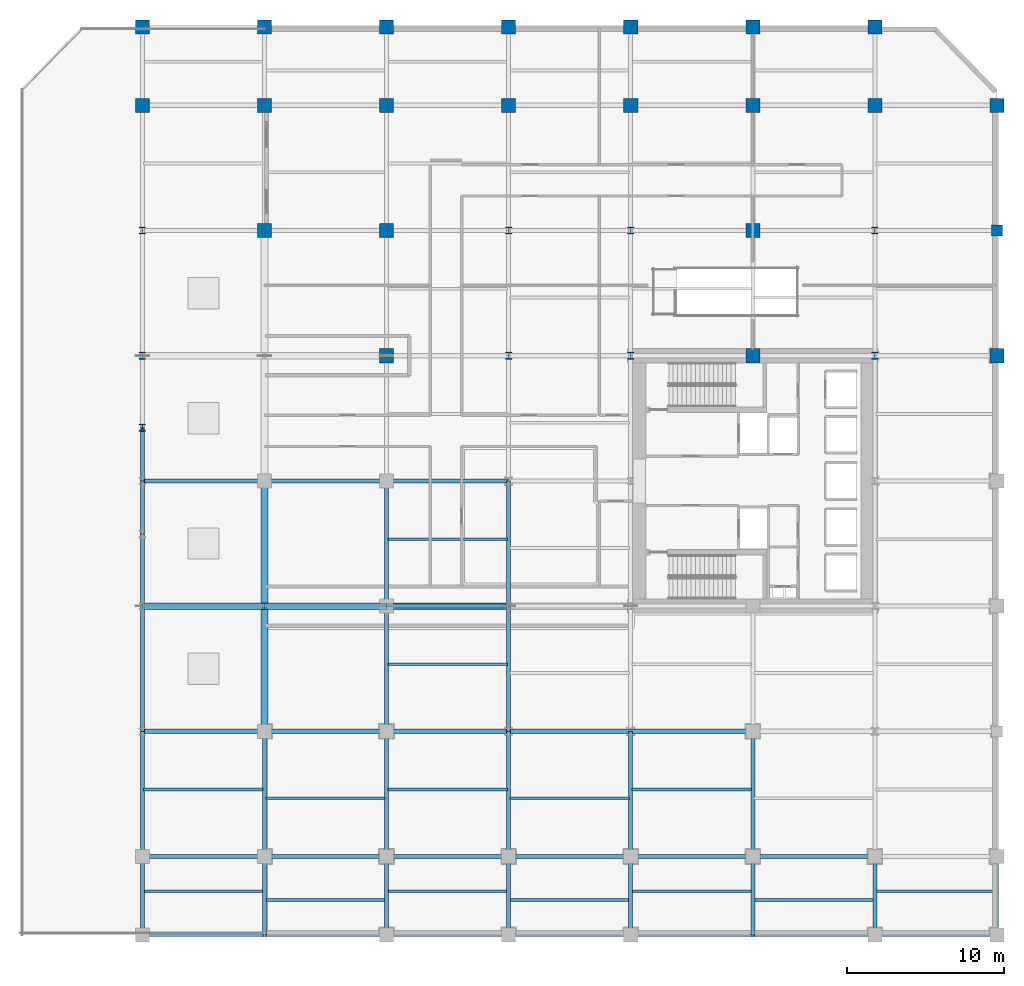
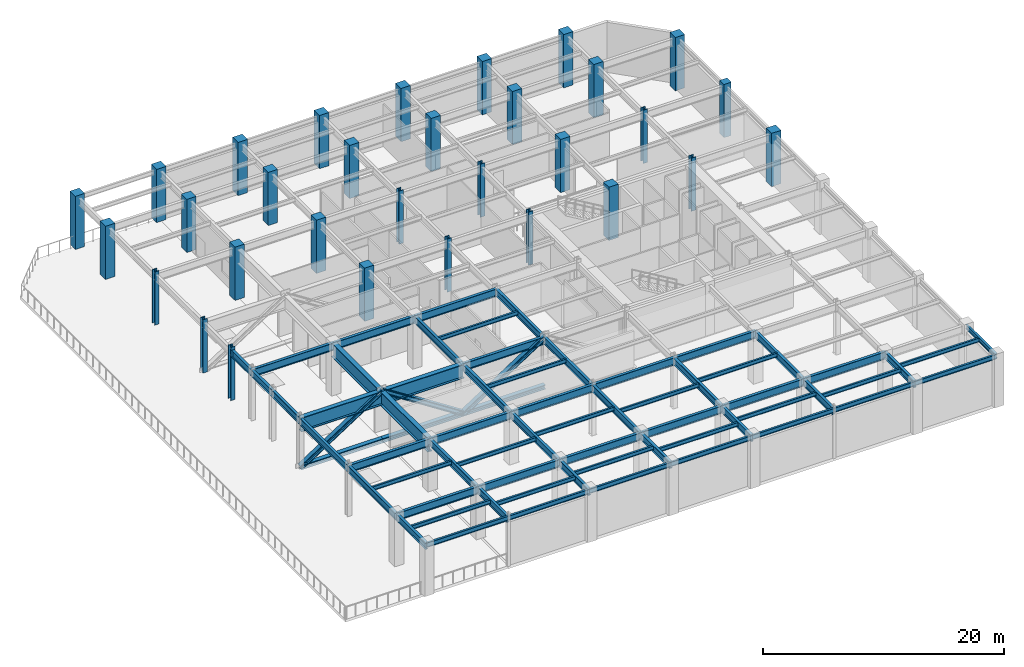
# One storey, part 3 of 14: 60 beams, 31 columns, 6 members.
"""IFC4 building model written with IfcOpenShell, lengths in metres."""

from ifc_helpers import new_model, si_unit, direction, frame, origin, origin_2d, place, context, subcontext, project, spatial, rectangle, i_section, extrude, material, material_profile, profile_set, type_object, element, save


model = new_model("IFC4")

# Units and contexts
model_context = context("Model", 3, precision=1e-05, world=origin(), true_north=direction((0.0, 1.0)))
body_context = subcontext(model_context, "Body", "Model", "MODEL_VIEW")
ifc_project = project(units=[si_unit("LENGTHUNIT", "METRE"), si_unit("AREAUNIT", "SQUARE_METRE"), si_unit("VOLUMEUNIT", "CUBIC_METRE"), si_unit("PLANEANGLEUNIT", "RADIAN"), si_unit("MASSUNIT", "GRAM", prefix="KILO")], contexts=[model_context])

# Site, building, storey
site_placement = place(None, origin())
site = spatial("IfcSite", under=ifc_project, at=site_placement, CompositionType="ELEMENT")
building_placement = place(site_placement, origin())
building = spatial("IfcBuilding", under=site, at=building_placement, Name="Veymaron Broadcast Tower", CompositionType="ELEMENT")
storey_placement = place(building_placement, frame((0.0, 0.0, 27.0)))
storey = spatial("IfcBuildingStorey", under=building, at=storey_placement, Name="L05", CompositionType="ELEMENT", Elevation=27.0)

# Columns
ifc_material_1 = material(Name="Structural steel ASTM A913 Gr 65", Category="steel")
ifc_material_profile_1 = material_profile(ifc_material_1, i_section(OverallWidth=0.424072265625, OverallDepth=0.47412109375, WebThickness=0.047607421875, FlangeThickness=0.076904296875, at=origin_2d()), Name="W360X634")
ifc_profile_set_1 = profile_set([ifc_material_profile_1], Name="Structural steel ASTM A913 Gr 65")
column_type_1 = type_object("IfcColumnType", Name="COL-MC1", PredefinedType="COLUMN", material=ifc_profile_set_1)
column_1_placement = place(storey_placement, frame((7.800048828125, 27.39990234375, 0.0), z_axis=(0.0, 0.0, 1.0), x_axis=(1.0, 0.0, 0.0)))
element("IfcColumn", 1, at=column_1_placement, inside=storey, type_object=column_type_1, Name="L05 Mega Column podium base", PredefinedType="COLUMN", context=body_context, shape_type="SweptSolid", body=[
    extrude(i_section(OverallWidth=0.424072265625, OverallDepth=0.47412109375, WebThickness=0.047607421875, FlangeThickness=0.076904296875, at=origin_2d()), origin(), (0.0, 0.0, 1.0), 5.382080078125),
])
ifc_material_profile_2 = material_profile(ifc_material_1, i_section(OverallWidth=0.41796875, OverallDepth=0.455078125, WebThickness=0.0419921875, FlangeThickness=0.067626953125, at=origin_2d()), Name="W360X551")
ifc_profile_set_2 = profile_set([ifc_material_profile_2], Name="Structural steel ASTM A913 Gr 65")
column_type_2 = type_object("IfcColumnType", Name="COL-MC2", PredefinedType="COLUMN", material=ifc_profile_set_2)
for number, where, z_axis, x_axis, name in (
    (2, (7.800048828125, 32.0, 0.0), (0.0, 0.0, 1.0), (1.0, 0.0, 0.0), "L05 column (7.8, 32.0)"),
    (3, (7.800048828125, 40.0, 0.0), (0.0, 0.0, 1.0), (1.0, 0.0, 0.0), "L05 column (7.8, 40.0)"),
    (4, (31.199951171875, 32.0, 0.0), (0.0, 0.0, 1.0), (1.0, 0.0, 0.0), "L05 column (31.2, 32.0)"),
    (5, (31.199951171875, 40.0, 0.0), (0.0, 0.0, 1.0), (1.0, 0.0, 0.0), "L05 column (31.2, 40.0)"),
    (6, (39.0, 32.0, 0.0), (0.0, 0.0, 1.0), (1.0, 0.0, 0.0), "L05 column (39.0, 32.0)"),
    (7, (39.0, 40.0, 0.0), (0.0, 0.0, 1.0), (1.0, 0.0, 0.0), "L05 column (39.0, 40.0)"),
    (8, (54.60009765625, 32.0, 0.0), (0.0, 0.0, 1.0), (1.0, 0.0, 0.0), "L05 column (54.6, 32.0)"),
    (9, (54.60009765625, 40.0, 0.0), (0.0, 0.0, 1.0), (1.0, 0.0, 0.0), "L05 column (54.6, 40.0)"),
):
    element("IfcColumn", number, at=place(storey_placement, frame(where, z_axis=z_axis, x_axis=x_axis)), inside=storey, type_object=column_type_2, Name=name, PredefinedType="COLUMN", context=body_context, shape_type="SweptSolid", body=[
        extrude(i_section(OverallWidth=0.41796875, OverallDepth=0.455078125, WebThickness=0.0419921875, FlangeThickness=0.067626953125, at=origin_2d()), origin(), (0.0, 0.0, 1.0), 5.39501953125),
    ])
ifc_material_2 = material(Name="Concrete C50/60", Category="concrete")
ifc_material_profile_3 = material_profile(ifc_material_2, rectangle(XDim=0.89990234375, YDim=0.89990234375, at=origin_2d()), Name="RC900X900")
ifc_profile_set_3 = profile_set([ifc_material_profile_3], Name="Concrete C50/60")
column_type_3 = type_object("IfcColumnType", Name="COL-RC4", PredefinedType="COLUMN", material=ifc_profile_set_3)
for number, where, z_axis, x_axis, name in (
    (10, (7.800048828125, 48.0, 0.0), (0.0, 0.0, 1.0), (1.0, 0.0, 0.0), "L05 column (7.8, 48.0)"),
    (11, (7.800048828125, 53.0, 0.0), (0.0, 0.0, 1.0), (1.0, 0.0, 0.0), "L05 column (7.8, 53.0)"),
    (12, (15.60009765625, 40.0, 0.0), (0.0, 0.0, 1.0), (1.0, 0.0, 0.0), "L05 column (15.6, 40.0)"),
    (13, (15.60009765625, 48.0, 0.0), (0.0, 0.0, 1.0), (1.0, 0.0, 0.0), "L05 column (15.6, 48.0)"),
    (14, (15.60009765625, 53.0, 0.0), (0.0, 0.0, 1.0), (1.0, 0.0, 0.0), "L05 column (15.6, 53.0)"),
    (15, (23.39990234375, 32.0, 0.0), (0.0, 0.0, 1.0), (1.0, 0.0, 0.0), "L05 column (23.4, 32.0)"),
    (16, (23.39990234375, 40.0, 0.0), (0.0, 0.0, 1.0), (1.0, 0.0, 0.0), "L05 column (23.4, 40.0)"),
    (17, (23.39990234375, 48.0, 0.0), (0.0, 0.0, 1.0), (1.0, 0.0, 0.0), "L05 column (23.4, 48.0)"),
    (18, (23.39990234375, 53.0, 0.0), (0.0, 0.0, 1.0), (1.0, 0.0, 0.0), "L05 column (23.4, 53.0)"),
    (19, (31.199951171875, 48.0, 0.0), (0.0, 0.0, 1.0), (1.0, 0.0, 0.0), "L05 column (31.2, 48.0)"),
    (20, (31.199951171875, 53.0, 0.0), (0.0, 0.0, 1.0), (1.0, 0.0, 0.0), "L05 column (31.2, 53.0)"),
    (21, (39.0, 48.0, 0.0), (0.0, 0.0, 1.0), (1.0, 0.0, 0.0), "L05 column (39.0, 48.0)"),
    (22, (39.0, 53.0, 0.0), (0.0, 0.0, 1.0), (1.0, 0.0, 0.0), "L05 column (39.0, 53.0)"),
    (23, (46.800048828125, 32.0, 0.0), (0.0, 0.0, 1.0), (1.0, 0.0, 0.0), "L05 column (46.8, 32.0)"),
    (24, (46.800048828125, 40.0, 0.0), (0.0, 0.0, 1.0), (1.0, 0.0, 0.0), "L05 column (46.8, 40.0)"),
    (25, (46.800048828125, 48.0, 0.0), (0.0, 0.0, 1.0), (1.0, 0.0, 0.0), "L05 column (46.8, 48.0)"),
    (26, (46.800048828125, 53.0, 0.0), (0.0, 0.0, 1.0), (1.0, 0.0, 0.0), "L05 column (46.8, 53.0)"),
    (27, (54.60009765625, 48.0, 0.0), (0.0, 0.0, 1.0), (1.0, 0.0, 0.0), "L05 column (54.6, 48.0)"),
    (28, (54.60009765625, 53.0, 0.0), (0.0, 0.0, 1.0), (1.0, 0.0, 0.0), "L05 column (54.6, 53.0)"),
    (29, (62.39990234375, 32.0, 0.0), (0.0, 0.0, 1.0), (1.0, 0.0, 0.0), "L05 column (62.4, 32.0)"),
    (30, (62.39990234375, 48.0, 0.0), (0.0, 0.0, 1.0), (1.0, 0.0, 0.0), "L05 column (62.4, 48.0)"),
):
    element("IfcColumn", number, at=place(storey_placement, frame(where, z_axis=z_axis, x_axis=x_axis)), inside=storey, type_object=column_type_3, Name=name, PredefinedType="COLUMN", context=body_context, shape_type="SweptSolid", body=[
        extrude(rectangle(XDim=0.89990234375, YDim=0.89990234375, at=origin_2d()), origin(), (0.0, 0.0, 1.0), 5.39501953125),
    ])
ifc_material_3 = material(Name="Concrete C40/50", Category="concrete")
ifc_material_profile_4 = material_profile(ifc_material_3, rectangle(XDim=0.699951171875, YDim=0.699951171875, at=origin_2d()), Name="RC700X700")
ifc_profile_set_4 = profile_set([ifc_material_profile_4], Name="Concrete C40/50")
column_type_4 = type_object("IfcColumnType", Name="COL-RC6", PredefinedType="PILASTER", material=ifc_profile_set_4)
column_2_placement = place(storey_placement, frame((62.39990234375, 40.0, 0.0), z_axis=(0.0, 0.0, 1.0), x_axis=(1.0, 0.0, 0.0)))
element("IfcColumn", 31, at=column_2_placement, inside=storey, type_object=column_type_4, Name="L05 column (62.4, 40.0)", PredefinedType="PILASTER", context=body_context, shape_type="SweptSolid", body=[
    extrude(rectangle(XDim=0.699951171875, YDim=0.699951171875, at=origin_2d()), origin(), (0.0, 0.0, 1.0), 5.39501953125),
])

# Beams
ifc_material_4 = material(Name="Structural steel ASTM A992 Gr 50", Category="steel")
ifc_material_profile_5 = material_profile(ifc_material_4, i_section(OverallWidth=0.177978515625, OverallDepth=0.406982421875, WebThickness=0.0078125, FlangeThickness=0.0126953125, at=origin_2d()), Name="W410X60")
ifc_profile_set_5 = profile_set([ifc_material_profile_5], Name="Structural steel ASTM A992 Gr 50")
beam_type_1 = type_object("IfcBeamType", Name="BM-JS1", PredefinedType="JOIST", material=ifc_profile_set_5)
for number, where, z_axis, x_axis, name in (
    (32, (7.885009765625, -2.219970703125, 4.87646484375), (1.0, 0.0, 0.0), (0.0, 1.0, 0.0), "L05 podium secondary floor joist"),
    (33, (7.885009765625, 4.280029296875, 4.87646484375), (1.0, 0.0, 0.0), (0.0, 1.0, 0.0), "L05 podium secondary floor joist"),
    (34, (15.68505859375, -2.780029296875, 4.87646484375), (1.0, 0.0, 0.0), (0.0, 1.0, 0.0), "L05 podium secondary floor joist"),
    (35, (15.68505859375, 3.719970703125, 4.87646484375), (1.0, 0.0, 0.0), (0.0, 1.0, 0.0), "L05 podium secondary floor joist"),
    (36, (23.485107421875, -2.219970703125, 4.87646484375), (1.0, 0.0, 0.0), (0.0, 1.0, 0.0), "L05 podium secondary floor joist"),
    (37, (23.485107421875, 4.280029296875, 4.87646484375), (1.0, 0.0, 0.0), (0.0, 1.0, 0.0), "L05 podium secondary floor joist"),
    (38, (23.485107421875, 12.280029296875, 4.87646484375), (1.0, 0.0, 0.0), (0.0, 1.0, 0.0), "L05 podium secondary floor joist"),
    (39, (23.485107421875, 20.280029296875, 4.87646484375), (1.0, 0.0, 0.0), (0.0, 1.0, 0.0), "L05 podium secondary floor joist"),
):
    element("IfcBeam", number, at=place(storey_placement, frame(where, z_axis=z_axis, x_axis=x_axis)), inside=storey, type_object=beam_type_1, Name=name, PredefinedType="JOIST", context=body_context, shape_type="SweptSolid", body=[
        extrude(i_section(OverallWidth=0.177978515625, OverallDepth=0.406982421875, WebThickness=0.0078125, FlangeThickness=0.0126953125, at=origin_2d()), origin(), (0.0, 0.0, 1.0), 7.6298828125),
    ])
for number, where, z_axis, x_axis, name in (
    (40, (31.284912109375, -2.780029296875, 4.87646484375), (1.0, 0.0, 0.0), (0.0, 1.0, 0.0), "L05 podium secondary floor joist"),
    (41, (31.284912109375, 3.719970703125, 4.87646484375), (1.0, 0.0, 0.0), (0.0, 1.0, 0.0), "L05 podium secondary floor joist"),
    (42, (39.0849609375, -2.219970703125, 4.87646484375), (1.0, 0.0, 0.0), (0.0, 1.0, 0.0), "L05 podium secondary floor joist"),
    (43, (39.0849609375, 4.280029296875, 4.87646484375), (1.0, 0.0, 0.0), (0.0, 1.0, 0.0), "L05 podium secondary floor joist"),
):
    element("IfcBeam", number, at=place(storey_placement, frame(where, z_axis=z_axis, x_axis=x_axis)), inside=storey, type_object=beam_type_1, Name=name, PredefinedType="JOIST", context=body_context, shape_type="SweptSolid", body=[
        extrude(i_section(OverallWidth=0.177978515625, OverallDepth=0.406982421875, WebThickness=0.0078125, FlangeThickness=0.0126953125, at=origin_2d()), origin(), (0.0, 0.0, 1.0), 7.630126953125),
    ])
for number, where, z_axis, x_axis, name in (
    (44, (46.885009765625, -2.780029296875, 4.87646484375), (1.0, 0.0, 0.0), (0.0, 1.0, 0.0), "L05 podium secondary floor joist"),
    (45, (54.68505859375, -2.219970703125, 4.87646484375), (1.0, 0.0, 0.0), (0.0, 1.0, 0.0), "L05 podium secondary floor joist"),
):
    element("IfcBeam", number, at=place(storey_placement, frame(where, z_axis=z_axis, x_axis=x_axis)), inside=storey, type_object=beam_type_1, Name=name, PredefinedType="JOIST", context=body_context, shape_type="SweptSolid", body=[
        extrude(i_section(OverallWidth=0.177978515625, OverallDepth=0.406982421875, WebThickness=0.0078125, FlangeThickness=0.0126953125, at=origin_2d()), origin(), (0.0, 0.0, 1.0), 7.6298828125),
    ])
ifc_material_profile_6 = material_profile(ifc_material_4, i_section(OverallWidth=0.26806640625, OverallDepth=0.77001953125, WebThickness=0.015625, FlangeThickness=0.025390625, at=origin_2d()), Name="W760X196")
ifc_profile_set_6 = profile_set([ifc_material_profile_6], Name="Structural steel ASTM A992 Gr 50")
beam_type_2 = type_object("IfcBeamType", Name="BM-PG1", PredefinedType="BEAM", material=ifc_profile_set_6)
beam_1_placement = place(storey_placement, frame((7.800048828125, 0.0, 4.695068359375), z_axis=(1.0, 0.0, 0.0), x_axis=(0.0, 1.0, 0.0)))
element("IfcBeam", 46, at=beam_1_placement, inside=storey, type_object=beam_type_2, Name="L05 podium primary X-girder", PredefinedType="BEAM", context=body_context, shape_type="SweptSolid", body=[
    extrude(i_section(OverallWidth=0.26806640625, OverallDepth=0.77001953125, WebThickness=0.015625, FlangeThickness=0.025390625, at=origin_2d()), origin(), (0.0, 0.0, 1.0), 7.800048828125),
])
beam_2_placement = place(storey_placement, frame((15.60009765625, 0.0, 4.695068359375), z_axis=(1.0, 0.0, 0.0), x_axis=(0.0, 1.0, 0.0)))
element("IfcBeam", 47, at=beam_2_placement, inside=storey, type_object=beam_type_2, Name="L05 podium primary X-girder", PredefinedType="BEAM", context=body_context, shape_type="SweptSolid", body=[
    extrude(i_section(OverallWidth=0.26806640625, OverallDepth=0.77001953125, WebThickness=0.015625, FlangeThickness=0.025390625, at=origin_2d()), origin(), (0.0, 0.0, 1.0), 7.7998046875),
])
for number, where, z_axis, x_axis, name in (
    (48, (23.39990234375, 0.0, 4.695068359375), (1.0, 0.0, 0.0), (0.0, 1.0, 0.0), "L05 podium primary X-girder"),
    (49, (31.199951171875, 0.0, 4.695068359375), (1.0, 0.0, 0.0), (0.0, 1.0, 0.0), "L05 podium primary X-girder"),
    (50, (39.0, 0.0, 4.695068359375), (1.0, 0.0, 0.0), (0.0, 1.0, 0.0), "L05 podium primary X-girder"),
    (51, (46.800048828125, 0.0, 4.695068359375), (1.0, 0.0, 0.0), (0.0, 1.0, 0.0), "L05 podium primary X-girder"),
    (52, (7.800048828125, 8.0, 4.695068359375), (1.0, 0.0, 0.0), (0.0, 1.0, 0.0), "L05 podium primary X-girder"),
):
    element("IfcBeam", number, at=place(storey_placement, frame(where, z_axis=z_axis, x_axis=x_axis)), inside=storey, type_object=beam_type_2, Name=name, PredefinedType="BEAM", context=body_context, shape_type="SweptSolid", body=[
        extrude(i_section(OverallWidth=0.26806640625, OverallDepth=0.77001953125, WebThickness=0.015625, FlangeThickness=0.025390625, at=origin_2d()), origin(), (0.0, 0.0, 1.0), 7.800048828125),
    ])
beam_3_placement = place(storey_placement, frame((15.60009765625, 8.0, 4.695068359375), z_axis=(1.0, 0.0, 0.0), x_axis=(0.0, 1.0, 0.0)))
element("IfcBeam", 53, at=beam_3_placement, inside=storey, type_object=beam_type_2, Name="L05 podium primary X-girder", PredefinedType="BEAM", context=body_context, shape_type="SweptSolid", body=[
    extrude(i_section(OverallWidth=0.26806640625, OverallDepth=0.77001953125, WebThickness=0.015625, FlangeThickness=0.025390625, at=origin_2d()), origin(), (0.0, 0.0, 1.0), 7.7998046875),
])
for number, where, z_axis, x_axis, name in (
    (54, (23.39990234375, 8.0, 4.695068359375), (1.0, 0.0, 0.0), (0.0, 1.0, 0.0), "L05 podium primary X-girder"),
    (55, (31.199951171875, 8.0, 4.695068359375), (1.0, 0.0, 0.0), (0.0, 1.0, 0.0), "L05 podium primary X-girder"),
    (56, (39.0, 8.0, 4.695068359375), (1.0, 0.0, 0.0), (0.0, 1.0, 0.0), "L05 podium primary X-girder"),
    (57, (23.39990234375, 16.0, 4.695068359375), (1.0, 0.0, 0.0), (0.0, 1.0, 0.0), "L05 podium primary X-girder"),
    (58, (7.800048828125, 24.0, 4.695068359375), (1.0, 0.0, 0.0), (0.0, 1.0, 0.0), "L05 podium primary X-girder"),
):
    element("IfcBeam", number, at=place(storey_placement, frame(where, z_axis=z_axis, x_axis=x_axis)), inside=storey, type_object=beam_type_2, Name=name, PredefinedType="BEAM", context=body_context, shape_type="SweptSolid", body=[
        extrude(i_section(OverallWidth=0.26806640625, OverallDepth=0.77001953125, WebThickness=0.015625, FlangeThickness=0.025390625, at=origin_2d()), origin(), (0.0, 0.0, 1.0), 7.800048828125),
    ])
beam_4_placement = place(storey_placement, frame((15.60009765625, 24.0, 4.695068359375), z_axis=(1.0, 0.0, 0.0), x_axis=(0.0, 1.0, 0.0)))
element("IfcBeam", 59, at=beam_4_placement, inside=storey, type_object=beam_type_2, Name="L05 podium primary X-girder", PredefinedType="BEAM", context=body_context, shape_type="SweptSolid", body=[
    extrude(i_section(OverallWidth=0.26806640625, OverallDepth=0.77001953125, WebThickness=0.015625, FlangeThickness=0.025390625, at=origin_2d()), origin(), (0.0, 0.0, 1.0), 7.7998046875),
])
beam_5_placement = place(storey_placement, frame((23.39990234375, 24.0, 4.695068359375), z_axis=(1.0, 0.0, 0.0), x_axis=(0.0, 1.0, 0.0)))
element("IfcBeam", 60, at=beam_5_placement, inside=storey, type_object=beam_type_2, Name="L05 podium primary X-girder", PredefinedType="BEAM", context=body_context, shape_type="SweptSolid", body=[
    extrude(i_section(OverallWidth=0.26806640625, OverallDepth=0.77001953125, WebThickness=0.015625, FlangeThickness=0.025390625, at=origin_2d()), origin(), (0.0, 0.0, 1.0), 7.800048828125),
])
ifc_material_profile_7 = material_profile(ifc_material_4, i_section(OverallWidth=0.256103515625, OverallDepth=0.693115234375, WebThickness=0.014404296875, FlangeThickness=0.023681640625, at=origin_2d()), Name="W690X170")
ifc_profile_set_7 = profile_set([ifc_material_profile_7], Name="Structural steel ASTM A992 Gr 50")
beam_type_3 = type_object("IfcBeamType", Name="BM-PG2", PredefinedType="BEAM", material=ifc_profile_set_7)
beam_6_placement = place(storey_placement, frame((7.800048828125, -5.0, 4.7333984375), z_axis=(0.0, 1.0, 0.0), x_axis=(-1.0, 0.0, 0.0)))
element("IfcBeam", 61, at=beam_6_placement, inside=storey, type_object=beam_type_3, Name="L05 podium primary Y-girder", PredefinedType="BEAM", context=body_context, shape_type="SweptSolid", body=[
    extrude(i_section(OverallWidth=0.256103515625, OverallDepth=0.693115234375, WebThickness=0.014404296875, FlangeThickness=0.023681640625, at=origin_2d()), origin(), (0.0, 0.0, 1.0), 5.0),
])
for number, where, z_axis, x_axis, name in (
    (62, (7.800048828125, 0.0, 4.7333984375), (0.0, 1.0, 0.0), (-1.0, 0.0, 0.0), "L05 podium primary Y-girder"),
    (63, (7.800048828125, 8.0, 4.7333984375), (0.0, 1.0, 0.0), (-1.0, 0.0, 0.0), "L05 podium primary Y-girder"),
):
    element("IfcBeam", number, at=place(storey_placement, frame(where, z_axis=z_axis, x_axis=x_axis)), inside=storey, type_object=beam_type_3, Name=name, PredefinedType="BEAM", context=body_context, shape_type="SweptSolid", body=[
        extrude(i_section(OverallWidth=0.256103515625, OverallDepth=0.693115234375, WebThickness=0.014404296875, FlangeThickness=0.023681640625, at=origin_2d()), origin(), (0.0, 0.0, 1.0), 8.0),
    ])
beam_7_placement = place(storey_placement, frame((7.800048828125, 16.0, 4.7333984375), z_axis=(0.0, 1.0, 0.0), x_axis=(-1.0, 0.0, 0.0)))
element("IfcBeam", 64, at=beam_7_placement, inside=storey, type_object=beam_type_3, Name="L05 podium primary Y-girder", PredefinedType="BEAM", context=body_context, shape_type="SweptSolid", body=[
    extrude(i_section(OverallWidth=0.256103515625, OverallDepth=0.693115234375, WebThickness=0.014404296875, FlangeThickness=0.023681640625, at=origin_2d()), origin(), (0.0, 0.0, 1.0), 4.60009765625),
])
for number, where, z_axis, x_axis, name in (
    (65, (7.800048828125, 20.60009765625, 4.7333984375), (0.0, 1.0, 0.0), (-1.0, 0.0, 0.0), "L05 podium primary Y-girder"),
    (66, (7.800048828125, 24.0, 4.7333984375), (0.0, 1.0, 0.0), (-1.0, 0.0, 0.0), "L05 podium primary Y-girder"),
):
    element("IfcBeam", number, at=place(storey_placement, frame(where, z_axis=z_axis, x_axis=x_axis)), inside=storey, type_object=beam_type_3, Name=name, PredefinedType="BEAM", context=body_context, shape_type="SweptSolid", body=[
        extrude(i_section(OverallWidth=0.256103515625, OverallDepth=0.693115234375, WebThickness=0.014404296875, FlangeThickness=0.023681640625, at=origin_2d()), origin(), (0.0, 0.0, 1.0), 3.39990234375),
    ])
beam_8_placement = place(storey_placement, frame((15.60009765625, -5.0, 4.7333984375), z_axis=(0.0, 1.0, 0.0), x_axis=(-1.0, 0.0, 0.0)))
element("IfcBeam", 67, at=beam_8_placement, inside=storey, type_object=beam_type_3, Name="L05 podium primary Y-girder", PredefinedType="BEAM", context=body_context, shape_type="SweptSolid", body=[
    extrude(i_section(OverallWidth=0.256103515625, OverallDepth=0.693115234375, WebThickness=0.014404296875, FlangeThickness=0.023681640625, at=origin_2d()), origin(), (0.0, 0.0, 1.0), 5.0),
])
beam_9_placement = place(storey_placement, frame((15.60009765625, 0.0, 4.7333984375), z_axis=(0.0, 1.0, 0.0), x_axis=(-1.0, 0.0, 0.0)))
element("IfcBeam", 68, at=beam_9_placement, inside=storey, type_object=beam_type_3, Name="L05 podium primary Y-girder", PredefinedType="BEAM", context=body_context, shape_type="SweptSolid", body=[
    extrude(i_section(OverallWidth=0.256103515625, OverallDepth=0.693115234375, WebThickness=0.014404296875, FlangeThickness=0.023681640625, at=origin_2d()), origin(), (0.0, 0.0, 1.0), 8.0),
])
beam_10_placement = place(storey_placement, frame((23.39990234375, -5.0, 4.7333984375), z_axis=(0.0, 1.0, 0.0), x_axis=(-1.0, 0.0, 0.0)))
element("IfcBeam", 69, at=beam_10_placement, inside=storey, type_object=beam_type_3, Name="L05 podium primary Y-girder", PredefinedType="BEAM", context=body_context, shape_type="SweptSolid", body=[
    extrude(i_section(OverallWidth=0.256103515625, OverallDepth=0.693115234375, WebThickness=0.014404296875, FlangeThickness=0.023681640625, at=origin_2d()), origin(), (0.0, 0.0, 1.0), 5.0),
])
for number, where, z_axis, x_axis, name in (
    (70, (23.39990234375, 0.0, 4.7333984375), (0.0, 1.0, 0.0), (-1.0, 0.0, 0.0), "L05 podium primary Y-girder"),
    (71, (23.39990234375, 8.0, 4.7333984375), (0.0, 1.0, 0.0), (-1.0, 0.0, 0.0), "L05 podium primary Y-girder"),
    (72, (23.39990234375, 16.0, 4.7333984375), (0.0, 1.0, 0.0), (-1.0, 0.0, 0.0), "L05 podium primary Y-girder"),
):
    element("IfcBeam", number, at=place(storey_placement, frame(where, z_axis=z_axis, x_axis=x_axis)), inside=storey, type_object=beam_type_3, Name=name, PredefinedType="BEAM", context=body_context, shape_type="SweptSolid", body=[
        extrude(i_section(OverallWidth=0.256103515625, OverallDepth=0.693115234375, WebThickness=0.014404296875, FlangeThickness=0.023681640625, at=origin_2d()), origin(), (0.0, 0.0, 1.0), 8.0),
    ])
beam_11_placement = place(storey_placement, frame((31.199951171875, -5.0, 4.7333984375), z_axis=(0.0, 1.0, 0.0), x_axis=(-1.0, 0.0, 0.0)))
element("IfcBeam", 73, at=beam_11_placement, inside=storey, type_object=beam_type_3, Name="L05 podium primary Y-girder", PredefinedType="BEAM", context=body_context, shape_type="SweptSolid", body=[
    extrude(i_section(OverallWidth=0.256103515625, OverallDepth=0.693115234375, WebThickness=0.014404296875, FlangeThickness=0.023681640625, at=origin_2d()), origin(), (0.0, 0.0, 1.0), 5.0),
])
for number, where, z_axis, x_axis, name in (
    (74, (31.199951171875, 0.0, 4.7333984375), (0.0, 1.0, 0.0), (-1.0, 0.0, 0.0), "L05 podium primary Y-girder"),
    (75, (31.199951171875, 8.0, 4.7333984375), (0.0, 1.0, 0.0), (-1.0, 0.0, 0.0), "L05 podium primary Y-girder"),
    (76, (31.199951171875, 16.0, 4.7333984375), (0.0, 1.0, 0.0), (-1.0, 0.0, 0.0), "L05 podium primary Y-girder"),
):
    element("IfcBeam", number, at=place(storey_placement, frame(where, z_axis=z_axis, x_axis=x_axis)), inside=storey, type_object=beam_type_3, Name=name, PredefinedType="BEAM", context=body_context, shape_type="SweptSolid", body=[
        extrude(i_section(OverallWidth=0.256103515625, OverallDepth=0.693115234375, WebThickness=0.014404296875, FlangeThickness=0.023681640625, at=origin_2d()), origin(), (0.0, 0.0, 1.0), 8.0),
    ])
beam_12_placement = place(storey_placement, frame((39.0, -5.0, 4.7333984375), z_axis=(0.0, 1.0, 0.0), x_axis=(-1.0, 0.0, 0.0)))
element("IfcBeam", 77, at=beam_12_placement, inside=storey, type_object=beam_type_3, Name="L05 podium primary Y-girder", PredefinedType="BEAM", context=body_context, shape_type="SweptSolid", body=[
    extrude(i_section(OverallWidth=0.256103515625, OverallDepth=0.693115234375, WebThickness=0.014404296875, FlangeThickness=0.023681640625, at=origin_2d()), origin(), (0.0, 0.0, 1.0), 5.0),
])
beam_13_placement = place(storey_placement, frame((39.0, 0.0, 4.7333984375), z_axis=(0.0, 1.0, 0.0), x_axis=(-1.0, 0.0, 0.0)))
element("IfcBeam", 78, at=beam_13_placement, inside=storey, type_object=beam_type_3, Name="L05 podium primary Y-girder", PredefinedType="BEAM", context=body_context, shape_type="SweptSolid", body=[
    extrude(i_section(OverallWidth=0.256103515625, OverallDepth=0.693115234375, WebThickness=0.014404296875, FlangeThickness=0.023681640625, at=origin_2d()), origin(), (0.0, 0.0, 1.0), 8.0),
])
beam_14_placement = place(storey_placement, frame((46.800048828125, -5.0, 4.7333984375), z_axis=(0.0, 1.0, 0.0), x_axis=(-1.0, 0.0, 0.0)))
element("IfcBeam", 79, at=beam_14_placement, inside=storey, type_object=beam_type_3, Name="L05 podium primary Y-girder", PredefinedType="BEAM", context=body_context, shape_type="SweptSolid", body=[
    extrude(i_section(OverallWidth=0.256103515625, OverallDepth=0.693115234375, WebThickness=0.014404296875, FlangeThickness=0.023681640625, at=origin_2d()), origin(), (0.0, 0.0, 1.0), 5.0),
])
beam_15_placement = place(storey_placement, frame((46.800048828125, 0.0, 4.7333984375), z_axis=(0.0, 1.0, 0.0), x_axis=(-1.0, 0.0, 0.0)))
element("IfcBeam", 80, at=beam_15_placement, inside=storey, type_object=beam_type_3, Name="L05 podium primary Y-girder", PredefinedType="BEAM", context=body_context, shape_type="SweptSolid", body=[
    extrude(i_section(OverallWidth=0.256103515625, OverallDepth=0.693115234375, WebThickness=0.014404296875, FlangeThickness=0.023681640625, at=origin_2d()), origin(), (0.0, 0.0, 1.0), 8.0),
])
beam_16_placement = place(storey_placement, frame((54.60009765625, -5.0, 4.7333984375), z_axis=(0.0, 1.0, 0.0), x_axis=(-1.0, 0.0, 0.0)))
element("IfcBeam", 81, at=beam_16_placement, inside=storey, type_object=beam_type_3, Name="L05 podium primary Y-girder", PredefinedType="BEAM", context=body_context, shape_type="SweptSolid", body=[
    extrude(i_section(OverallWidth=0.256103515625, OverallDepth=0.693115234375, WebThickness=0.014404296875, FlangeThickness=0.023681640625, at=origin_2d()), origin(), (0.0, 0.0, 1.0), 5.0),
])
ifc_material_profile_8 = material_profile(ifc_material_4, i_section(OverallWidth=0.19091796875, OverallDepth=0.4599609375, WebThickness=0.010009765625, FlangeThickness=0.01611328125, at=origin_2d()), Name="W460X82")
ifc_profile_set_8 = profile_set([ifc_material_profile_8], Name="Structural steel ASTM A992 Gr 50")
beam_type_4 = type_object("IfcBeamType", Name="BM-SP1", PredefinedType="SPANDREL", material=ifc_profile_set_8)
beam_17_placement = place(storey_placement, frame((7.800048828125, -5.0, 4.85009765625), z_axis=(1.0, 0.0, 0.0), x_axis=(0.0, 1.0, 0.0)))
element("IfcBeam", 82, at=beam_17_placement, inside=storey, type_object=beam_type_4, Name="L05 podium primary X-girder", PredefinedType="SPANDREL", context=body_context, shape_type="SweptSolid", body=[
    extrude(i_section(OverallWidth=0.19091796875, OverallDepth=0.4599609375, WebThickness=0.010009765625, FlangeThickness=0.01611328125, at=origin_2d()), origin(), (0.0, 0.0, 1.0), 7.800048828125),
])
beam_18_placement = place(storey_placement, frame((15.60009765625, -5.0, 4.85009765625), z_axis=(1.0, 0.0, 0.0), x_axis=(0.0, 1.0, 0.0)))
element("IfcBeam", 83, at=beam_18_placement, inside=storey, type_object=beam_type_4, Name="L05 podium primary X-girder", PredefinedType="SPANDREL", context=body_context, shape_type="SweptSolid", body=[
    extrude(i_section(OverallWidth=0.19091796875, OverallDepth=0.4599609375, WebThickness=0.010009765625, FlangeThickness=0.01611328125, at=origin_2d()), origin(), (0.0, 0.0, 1.0), 7.7998046875),
])
for number, where, z_axis, x_axis, name in (
    (84, (23.39990234375, -5.0, 4.85009765625), (1.0, 0.0, 0.0), (0.0, 1.0, 0.0), "L05 podium primary X-girder"),
    (85, (31.199951171875, -5.0, 4.85009765625), (1.0, 0.0, 0.0), (0.0, 1.0, 0.0), "L05 podium primary X-girder"),
    (86, (39.0, -5.0, 4.85009765625), (1.0, 0.0, 0.0), (0.0, 1.0, 0.0), "L05 podium primary X-girder"),
    (87, (46.800048828125, -5.0, 4.85009765625), (1.0, 0.0, 0.0), (0.0, 1.0, 0.0), "L05 podium primary X-girder"),
):
    element("IfcBeam", number, at=place(storey_placement, frame(where, z_axis=z_axis, x_axis=x_axis)), inside=storey, type_object=beam_type_4, Name=name, PredefinedType="SPANDREL", context=body_context, shape_type="SweptSolid", body=[
        extrude(i_section(OverallWidth=0.19091796875, OverallDepth=0.4599609375, WebThickness=0.010009765625, FlangeThickness=0.01611328125, at=origin_2d()), origin(), (0.0, 0.0, 1.0), 7.800048828125),
    ])
beam_19_placement = place(storey_placement, frame((54.60009765625, -5.0, 4.85009765625), z_axis=(1.0, 0.0, 0.0), x_axis=(0.0, 1.0, 0.0)))
element("IfcBeam", 88, at=beam_19_placement, inside=storey, type_object=beam_type_4, Name="L05 podium primary X-girder", PredefinedType="SPANDREL", context=body_context, shape_type="SweptSolid", body=[
    extrude(i_section(OverallWidth=0.19091796875, OverallDepth=0.4599609375, WebThickness=0.010009765625, FlangeThickness=0.01611328125, at=origin_2d()), origin(), (0.0, 0.0, 1.0), 7.7998046875),
])
beam_20_placement = place(storey_placement, frame((62.39990234375, -5.0, 4.85009765625), z_axis=(0.0, 1.0, 0.0), x_axis=(-1.0, 0.0, 0.0)))
element("IfcBeam", 89, at=beam_20_placement, inside=storey, type_object=beam_type_4, Name="L05 podium primary Y-girder", PredefinedType="SPANDREL", context=body_context, shape_type="SweptSolid", body=[
    extrude(i_section(OverallWidth=0.19091796875, OverallDepth=0.4599609375, WebThickness=0.010009765625, FlangeThickness=0.01611328125, at=origin_2d()), origin(), (0.0, 0.0, 1.0), 5.0),
])
ifc_material_profile_9 = material_profile(ifc_material_1, i_section(OverallWidth=0.429931640625, OverallDepth=1.419921875, WebThickness=0.030029296875, FlangeThickness=0.050048828125, at=origin_2d()), Name="W1400X550")
ifc_profile_set_9 = profile_set([ifc_material_profile_9], Name="Structural steel ASTM A913 Gr 65")
beam_type_5 = type_object("IfcBeamType", Name="BM-TG0", PredefinedType="BEAM", material=ifc_profile_set_9)
beam_21_placement = place(storey_placement, frame((7.800048828125, 16.0, 4.3701171875), z_axis=(1.0, 0.0, 0.0), x_axis=(0.0, 1.0, 0.0)))
element("IfcBeam", 90, at=beam_21_placement, inside=storey, type_object=beam_type_5, Name="L05 podium primary X-girder", PredefinedType="BEAM", context=body_context, shape_type="SweptSolid", body=[
    extrude(i_section(OverallWidth=0.429931640625, OverallDepth=1.419921875, WebThickness=0.030029296875, FlangeThickness=0.050048828125, at=origin_2d()), origin(), (0.0, 0.0, 1.0), 15.599853515625),
])
beam_22_placement = place(storey_placement, frame((15.60009765625, 8.0, 4.3701171875), z_axis=(0.0, 1.0, 0.0), x_axis=(-1.0, 0.0, 0.0)))
element("IfcBeam", 91, at=beam_22_placement, inside=storey, type_object=beam_type_5, Name="L05 podium primary Y-girder", PredefinedType="BEAM", context=body_context, shape_type="SweptSolid", body=[
    extrude(i_section(OverallWidth=0.429931640625, OverallDepth=1.419921875, WebThickness=0.030029296875, FlangeThickness=0.050048828125, at=origin_2d()), origin(), (0.0, 0.0, 1.0), 16.0),
])

# Members
ifc_material_profile_10 = material_profile(ifc_material_1, i_section(OverallWidth=0.412109375, OverallDepth=0.43505859375, WebThickness=0.035888671875, FlangeThickness=0.05810546875, at=origin_2d()), Name="W360X463")
ifc_profile_set_10 = profile_set([ifc_material_profile_10], Name="Structural steel ASTM A913 Gr 65")
member_type_1 = type_object("IfcMemberType", Name="MEM-CW1", PredefinedType="CHORD", material=ifc_profile_set_10)
member_1_placement = place(storey_placement, frame((7.800048828125, 16.0, 0.02001953125), z_axis=(1.0, 0.0, 0.0), x_axis=(0.0, 1.0, 0.0)))
element("IfcMember", 92, at=member_1_placement, inside=storey, type_object=member_type_1, Name="L05 Studio Transfer Truss TT1 bottom chord 1", PredefinedType="CHORD", context=body_context, shape_type="SweptSolid", body=[
    extrude(i_section(OverallWidth=0.412109375, OverallDepth=0.43505859375, WebThickness=0.035888671875, FlangeThickness=0.05810546875, at=origin_2d()), origin(), (0.0, 0.0, 1.0), 7.800048828125),
])
member_2_placement = place(storey_placement, frame((15.60009765625, 16.0, 0.02001953125), z_axis=(1.0, 0.0, 0.0), x_axis=(0.0, 1.0, 0.0)))
element("IfcMember", 93, at=member_2_placement, inside=storey, type_object=member_type_1, Name="L05 Studio Transfer Truss TT1 bottom chord 2", PredefinedType="CHORD", context=body_context, shape_type="SweptSolid", body=[
    extrude(i_section(OverallWidth=0.412109375, OverallDepth=0.43505859375, WebThickness=0.035888671875, FlangeThickness=0.05810546875, at=origin_2d()), origin(), (0.0, 0.0, 1.0), 7.7998046875),
])
member_3_placement = place(storey_placement, frame((23.39990234375, 16.0, 0.02001953125), z_axis=(1.0, 0.0, 0.0), x_axis=(0.0, 1.0, 0.0)))
element("IfcMember", 94, at=member_3_placement, inside=storey, type_object=member_type_1, Name="L05 Studio Transfer Truss TT1 bottom chord 3", PredefinedType="CHORD", context=body_context, shape_type="SweptSolid", body=[
    extrude(i_section(OverallWidth=0.412109375, OverallDepth=0.43505859375, WebThickness=0.035888671875, FlangeThickness=0.05810546875, at=origin_2d()), origin(), (0.0, 0.0, 1.0), 7.800048828125),
])
ifc_material_profile_11 = material_profile(ifc_material_1, i_section(OverallWidth=0.41796875, OverallDepth=0.455078125, WebThickness=0.0419921875, FlangeThickness=0.067626953125, at=origin_2d()), Name="W360X551")
ifc_profile_set_11 = profile_set([ifc_material_profile_11], Name="Structural steel ASTM A913 Gr 65")
member_type_2 = type_object("IfcMemberType", Name="MEM-TW1", PredefinedType="BRACE", material=ifc_profile_set_11)
member_4_placement = place(storey_placement, frame((7.800048828125, 16.0, 0.02001953125), z_axis=(0.83991629977, 0.0, 0.542715956445), x_axis=(0.0, 1.0, 0.0)))
element("IfcMember", 95, at=member_4_placement, inside=storey, type_object=member_type_2, Name="L05 Studio Transfer Truss TT1 web brace 1", PredefinedType="BRACE", context=body_context, shape_type="SweptSolid", body=[
    extrude(i_section(OverallWidth=0.41796875, OverallDepth=0.455078125, WebThickness=0.0419921875, FlangeThickness=0.067626953125, at=origin_2d()), origin(), (0.0, 0.0, 1.0), 9.28662109375),
])
member_5_placement = place(storey_placement, frame((15.60009765625, 16.0, 5.06005859375), z_axis=(0.839908556253, 0.0, -0.542727940255), x_axis=(0.0, 1.0, 0.0)))
element("IfcMember", 96, at=member_5_placement, inside=storey, type_object=member_type_2, Name="L05 Studio Transfer Truss TT1 web brace 2", PredefinedType="BRACE", context=body_context, shape_type="SweptSolid", body=[
    extrude(i_section(OverallWidth=0.41796875, OverallDepth=0.455078125, WebThickness=0.0419921875, FlangeThickness=0.067626953125, at=origin_2d()), origin(), (0.0, 0.0, 1.0), 9.286376953125),
])
member_6_placement = place(storey_placement, frame((23.39990234375, 16.0, 0.02001953125), z_axis=(0.83991629977, 0.0, 0.542715956445), x_axis=(0.0, 1.0, 0.0)))
element("IfcMember", 97, at=member_6_placement, inside=storey, type_object=member_type_2, Name="L05 Studio Transfer Truss TT1 web brace 3", PredefinedType="BRACE", context=body_context, shape_type="SweptSolid", body=[
    extrude(i_section(OverallWidth=0.41796875, OverallDepth=0.455078125, WebThickness=0.0419921875, FlangeThickness=0.067626953125, at=origin_2d()), origin(), (0.0, 0.0, 1.0), 9.28662109375),
])

save(model, "model.ifc")
